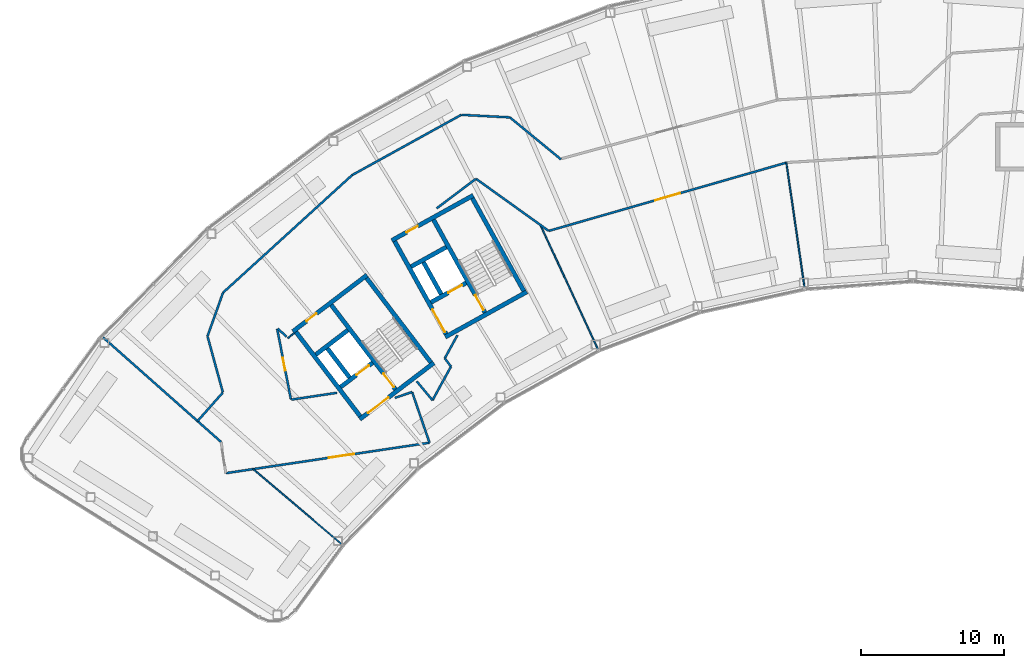
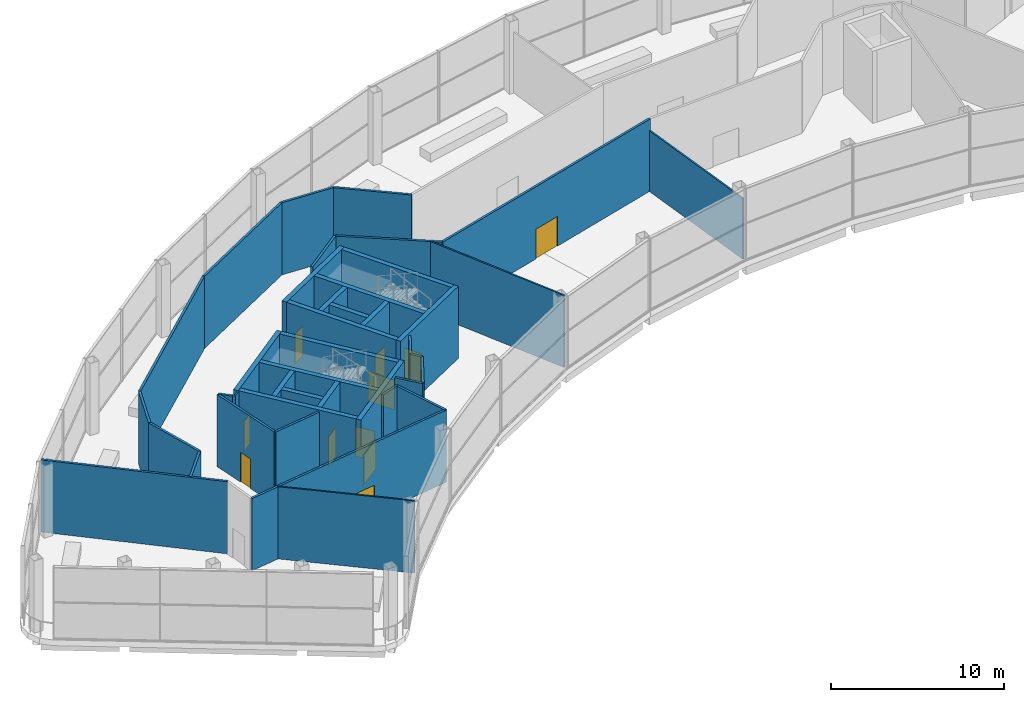
# One storey, part 36 of 43: 41 walls, 11 doors, 11 openings.
"""IFC4 building model written with IfcOpenShell, lengths in metres."""

from ifc_helpers import new_model, si_unit, direction, frame, frame_2d, origin, place, context, subcontext, project, spatial, rectangle, extrude, material, layer, layer_set, type_object, element, fill, save


model = new_model("IFC4")

# Units and contexts
model_context = context("Model", 3, precision=1e-05, world=origin(), true_north=direction((0.0, 1.0)))
body_context = subcontext(model_context, "Body", "Model", "MODEL_VIEW")
ifc_project = project(units=[si_unit("LENGTHUNIT", "METRE"), si_unit("AREAUNIT", "SQUARE_METRE"), si_unit("VOLUMEUNIT", "CUBIC_METRE"), si_unit("PLANEANGLEUNIT", "RADIAN"), si_unit("MASSUNIT", "GRAM", prefix="KILO")], contexts=[model_context])

# Site, building, storey
site_placement = place(None, origin())
site = spatial("IfcSite", under=ifc_project, at=site_placement, CompositionType="ELEMENT")
building_placement = place(site_placement, origin())
building = spatial("IfcBuilding", under=site, at=building_placement, Name="Tuul Gate Civic Tower", CompositionType="ELEMENT")
storey_placement = place(building_placement, frame((0.0, 0.0, 349.10009765625)))
storey = spatial("IfcBuildingStorey", under=building, at=storey_placement, Name="Observation level 1", CompositionType="ELEMENT", Elevation=349.10009765625)

# Wall, opening, door
ifc_material_1 = material(Name="Concrete C50/60", Category="concrete")
ifc_layer_1 = layer(ifc_material_1, 0.300048828125)
ifc_layer_set_1 = layer_set([ifc_layer_1], Name="Concrete C50/60")
wall_type_1 = type_object("IfcWallType", Name="Core wall C50/60", PredefinedType="SHEAR", material=ifc_layer_set_1)
wall_1_placement = place(storey_placement, frame((-31.19091796875, -13.669677734375, 0.0), z_axis=(0.0, 0.0, 1.0), x_axis=(-0.795606717756, -0.605813461934, 0.0)))
wall_1 = element("IfcWall", 1, at=wall_1_placement, inside=storey, type_object=wall_type_1, Name="Core wall", PredefinedType="SHEAR", context=body_context, shape_type="SweptSolid", body=[
    extrude(rectangle(XDim=6.5, YDim=0.300048828125, at=frame_2d((3.25, 0.0))), origin(), (0.0, 0.0, 1.0), 5.099853515625),
])
opening_1_placement = place(wall_1_placement, frame((3.97509765625, 0.0, 0.0)))
opening_1 = element("IfcOpeningElement", 2, at=opening_1_placement, cuts=wall_1, Name="Opening LB-W1-LOBBY-1", PredefinedType="OPENING", context=body_context, shape_type="SweptSolid", body=[
    extrude(rectangle(XDim=1.800048828125, YDim=2.10009765625, at=frame_2d((0.89990234375, 1.050048828125))), frame((0.0, 0.16015625, 0.0), z_axis=(0.0, -1.0, 0.0), x_axis=(1.0, 0.0, 0.0)), (0.0, 0.0, 1.0), 0.320068359375),
])
ifc_material_2 = material(Name="Steel", Category="steel")
door_type_1 = type_object("IfcDoorType", Name="Lobby door", OperationType="DOUBLE_DOOR_SINGLE_SWING", PredefinedType="DOOR", material=ifc_material_2)
door_1_placement = place(opening_1_placement, origin())
door_1 = element("IfcDoor", 3, at=door_1_placement, inside=storey, type_object=door_type_1, Name="Lobby door W1-LOBBY", OperationType="DOUBLE_DOOR_SINGLE_SWING", OverallHeight=2.10009765625, OverallWidth=1.800048828125, PredefinedType="DOOR", context=body_context, shape_type="SweptSolid", body=[
    extrude(rectangle(XDim=1.800048828125, YDim=2.10009765625, at=frame_2d((0.89990234375, 1.050048828125))), frame((0.0, 0.02490234375, 0.0), z_axis=(0.0, -1.0, 0.0), x_axis=(1.0, 0.0, 0.0)), (0.0, 0.0, 1.0), 0.050048828125),
])
fill(opening_1, door_1)

wall_2_placement = place(storey_placement, frame((-35.470947265625, -13.66064453125, 0.0), z_axis=(0.0, 0.0, 1.0), x_axis=(-0.795615822227, -0.605801504968, 0.0)))
wall_2 = element("IfcWall", 4, at=wall_2_placement, inside=storey, type_object=wall_type_1, Name="Core wall", PredefinedType="SHEAR", context=body_context, shape_type="SweptSolid", body=[
    extrude(rectangle(XDim=2.800048828125, YDim=0.300048828125, at=frame_2d((1.39990234375, 0.0))), origin(), (0.0, 0.0, 1.0), 5.099853515625),
])
opening_2_placement = place(wall_2_placement, frame((0.324951171875, 0.0, 0.0)))
opening_2 = element("IfcOpeningElement", 5, at=opening_2_placement, cuts=wall_2, Name="Opening LD-H1", PredefinedType="OPENING", context=body_context, shape_type="SweptSolid", body=[
    extrude(rectangle(XDim=1.10009765625, YDim=2.10009765625, at=frame_2d((0.550048828125, 1.050048828125))), frame((0.0, 0.16015625, 0.0), z_axis=(0.0, -1.0, 0.0), x_axis=(1.0, 0.0, 0.0)), (0.0, 0.0, 1.0), 0.320068359375),
])
ifc_material_3 = material(Name="Stainless steel", Category="steel")
door_type_2 = type_object("IfcDoorType", Name="Landing door", OperationType="DOUBLE_DOOR_SLIDING", PredefinedType="DOOR", material=ifc_material_3)
door_2_placement = place(opening_2_placement, origin())
door_2 = element("IfcDoor", 6, at=door_2_placement, inside=storey, type_object=door_type_2, Name="High-rise lift H1 landing door", OperationType="DOUBLE_DOOR_SLIDING", OverallHeight=2.10009765625, OverallWidth=1.10009765625, PredefinedType="DOOR", context=body_context, shape_type="SweptSolid", body=[
    extrude(rectangle(XDim=1.10009765625, YDim=2.10009765625, at=frame_2d((0.550048828125, 1.050048828125))), frame((0.0, 0.02490234375, 0.0), z_axis=(0.0, -1.0, 0.0), x_axis=(1.0, 0.0, 0.0)), (0.0, 0.0, 1.0), 0.050048828125),
])
fill(opening_2, door_2)

# Wall
wall_3_placement = place(storey_placement, frame((-37.197509765625, -11.39306640625, 0.0), z_axis=(0.0, 0.0, 1.0), x_axis=(-0.795583820278, -0.605843531707, 0.0)))
element("IfcWall", 7, at=wall_3_placement, inside=storey, type_object=wall_type_1, Name="Core wall", PredefinedType="SHEAR", context=body_context, shape_type="SweptSolid", body=[
    extrude(rectangle(XDim=2.7998046875, YDim=0.300048828125, at=frame_2d((1.39990234375, 0.0))), origin(), (0.0, 0.0, 1.0), 5.099853515625),
])

# Wall, opening, door
wall_4_placement = place(storey_placement, frame((-35.855224609375, -7.543212890625, 0.0), z_axis=(0.0, 0.0, 1.0), x_axis=(-0.79563860527, -0.605771582202, 0.0)))
wall_4 = element("IfcWall", 8, at=wall_4_placement, inside=storey, type_object=wall_type_1, Name="Core wall", PredefinedType="SHEAR", context=body_context, shape_type="SweptSolid", body=[
    extrude(rectangle(XDim=6.5, YDim=0.300048828125, at=frame_2d((3.25, 0.0))), origin(), (0.0, 0.0, 1.0), 5.099853515625),
])
opening_3_placement = place(wall_4_placement, frame((4.425048828125, 0.0, 0.0)))
opening_3 = element("IfcOpeningElement", 9, at=opening_3_placement, cuts=wall_4, Name="Opening AD-D15", PredefinedType="OPENING", context=body_context, shape_type="SweptSolid", body=[
    extrude(rectangle(XDim=0.89990234375, YDim=2.10009765625, at=frame_2d((0.449951171875, 1.050048828125))), frame((0.0, 0.16015625, 0.0), z_axis=(0.0, -1.0, 0.0), x_axis=(1.0, 0.0, 0.0)), (0.0, 0.0, 1.0), 0.320068359375),
])
ifc_material_4 = material(Name="Timber door leaf", Category="wood")
door_type_3 = type_object("IfcDoorType", Name="Door D09", OperationType="NOTDEFINED", PredefinedType="DOOR", material=ifc_material_4)
door_3_placement = place(opening_3_placement, origin())
door_3 = element("IfcDoor", 10, at=door_3_placement, inside=storey, type_object=door_type_3, Name="Door AD-D15", OperationType="SINGLE_SWING_RIGHT", OverallHeight=2.10009765625, OverallWidth=0.89990234375, PredefinedType="DOOR", context=body_context, shape_type="SweptSolid", body=[
    extrude(rectangle(XDim=0.89990234375, YDim=2.10009765625, at=frame_2d((0.449951171875, 1.050048828125))), frame((0.0, 0.02490234375, 0.0), z_axis=(0.0, -1.0, 0.0), x_axis=(1.0, 0.0, 0.0)), (0.0, 0.0, 1.0), 0.050048828125),
])
fill(opening_3, door_3)

# Wall
wall_5_placement = place(storey_placement, frame((-31.401123046875, -13.64111328125, 0.0), z_axis=(0.0, 0.0, 1.0), x_axis=(-0.605769822278, 0.795639945213, 0.0)))
element("IfcWall", 11, at=wall_5_placement, inside=storey, type_object=wall_type_1, Name="Core wall", PredefinedType="SHEAR", context=body_context, shape_type="SweptSolid", body=[
    extrude(rectangle(XDim=7.39990234375, YDim=0.300048828125, at=frame_2d((3.699951171875, 0.0))), origin(), (0.0, 0.0, 1.0), 5.099853515625),
])

# Wall, opening, door
wall_6_placement = place(storey_placement, frame((-33.867431640625, -15.51904296875, 0.0), z_axis=(0.0, 0.0, 1.0), x_axis=(-0.605769822278, 0.795639945213, 0.0)))
wall_6 = element("IfcWall", 12, at=wall_6_placement, inside=storey, type_object=wall_type_1, Name="Core wall", PredefinedType="SHEAR", context=body_context, shape_type="SweptSolid", body=[
    extrude(rectangle(XDim=7.39990234375, YDim=0.300048828125, at=frame_2d((3.699951171875, 0.0))), origin(), (0.0, 0.0, 1.0), 5.099853515625),
])
opening_4_placement = place(wall_6_placement, frame((0.199951171875, 0.0, 0.0)))
opening_4 = element("IfcOpeningElement", 13, at=opening_4_placement, cuts=wall_6, Name="Opening SD-ST-1", PredefinedType="OPENING", context=body_context, shape_type="SweptSolid", body=[
    extrude(rectangle(XDim=1.199951171875, YDim=2.10009765625, at=frame_2d((0.60009765625, 1.050048828125))), frame((0.0, 0.16015625, 0.0), z_axis=(0.0, -1.0, 0.0), x_axis=(1.0, 0.0, 0.0)), (0.0, 0.0, 1.0), 0.320068359375),
])
ifc_material_5 = material(Name="Steel", Category="steel")
door_type_4 = type_object("IfcDoorType", Name="Stair door", OperationType="NOTDEFINED", PredefinedType="DOOR", material=ifc_material_5)
door_4_placement = place(opening_4_placement, origin())
door_4 = element("IfcDoor", 14, at=door_4_placement, inside=storey, type_object=door_type_4, Name="Stair door ST-1", OperationType="SINGLE_SWING_LEFT", OverallHeight=2.10009765625, OverallWidth=1.199951171875, PredefinedType="DOOR", context=body_context, shape_type="SweptSolid", body=[
    extrude(rectangle(XDim=1.199951171875, YDim=2.10009765625, at=frame_2d((0.60009765625, 1.050048828125))), frame((0.0, 0.02490234375, 0.0), z_axis=(0.0, -1.0, 0.0), x_axis=(1.0, 0.0, 0.0)), (0.0, 0.0, 1.0), 0.050048828125),
])
fill(opening_4, door_4)

# Walls
wall_7_placement = place(storey_placement, frame((-37.073486328125, -14.6923828125, 0.0), z_axis=(0.0, 0.0, 1.0), x_axis=(-0.605728760074, 0.79567120673, 0.0)))
element("IfcWall", 15, at=wall_7_placement, inside=storey, type_object=wall_type_1, Name="Core wall", PredefinedType="SHEAR", context=body_context, shape_type="SweptSolid", body=[
    extrude(rectangle(XDim=2.550048828125, YDim=0.300048828125, at=frame_2d((1.27490234375, 0.0))), origin(), (0.0, 0.0, 1.0), 5.099853515625),
])
wall_8_placement = place(storey_placement, frame((-36.333984375, -17.397216796875, 0.0), z_axis=(0.0, 0.0, 1.0), x_axis=(-0.605753921168, 0.795652051458, 0.0)))
element("IfcWall", 16, at=wall_8_placement, inside=storey, type_object=wall_type_1, Name="Core wall", PredefinedType="SHEAR", context=body_context, shape_type="SweptSolid", body=[
    extrude(rectangle(XDim=7.400146484375, YDim=0.300048828125, at=frame_2d((3.7001953125, 0.0))), origin(), (0.0, 0.0, 1.0), 5.099853515625),
])
wall_9_placement = place(storey_placement, frame((-24.711669921875, -8.7158203125, 0.0), z_axis=(0.0, 0.0, 1.0), x_axis=(-0.874629909008, -0.484791215132, 0.0)))
element("IfcWall", 17, at=wall_9_placement, inside=storey, type_object=wall_type_1, Name="Core wall", PredefinedType="SHEAR", context=body_context, shape_type="SweptSolid", body=[
    extrude(rectangle(XDim=6.5, YDim=0.300048828125, at=frame_2d((3.25, 0.0))), origin(), (0.0, 0.0, 1.0), 5.099853515625),
])

# Wall, opening, door
wall_10_placement = place(storey_placement, frame((-28.94580078125, -8.090087890625, 0.0), z_axis=(0.0, 0.0, 1.0), x_axis=(-0.874629840737, -0.484791338301, 0.0)))
wall_10 = element("IfcWall", 18, at=wall_10_placement, inside=storey, type_object=wall_type_1, Name="Core wall", PredefinedType="SHEAR", context=body_context, shape_type="SweptSolid", body=[
    extrude(rectangle(XDim=2.800048828125, YDim=0.300048828125, at=frame_2d((1.39990234375, 0.0))), origin(), (0.0, 0.0, 1.0), 5.099853515625),
])
opening_5_placement = place(wall_10_placement, frame((0.324951171875, 0.0, 0.0)))
opening_5 = element("IfcOpeningElement", 19, at=opening_5_placement, cuts=wall_10, Name="Opening LD-FF-1", PredefinedType="OPENING", context=body_context, shape_type="SweptSolid", body=[
    extrude(rectangle(XDim=1.10009765625, YDim=2.10009765625, at=frame_2d((0.550048828125, 1.050048828125))), frame((0.0, 0.16015625, 0.0), z_axis=(0.0, -1.0, 0.0), x_axis=(1.0, 0.0, 0.0)), (0.0, 0.0, 1.0), 0.320068359375),
])
door_5_placement = place(opening_5_placement, origin())
door_5 = element("IfcDoor", 20, at=door_5_placement, inside=storey, type_object=door_type_2, Name="Fire-fighting lift FF-1 landing door", OperationType="DOUBLE_DOOR_SLIDING", OverallHeight=2.10009765625, OverallWidth=1.10009765625, PredefinedType="DOOR", context=body_context, shape_type="SweptSolid", body=[
    extrude(rectangle(XDim=1.10009765625, YDim=2.10009765625, at=frame_2d((0.550048828125, 1.050048828125))), frame((0.0, 0.02490234375, 0.0), z_axis=(0.0, -1.0, 0.0), x_axis=(1.0, 0.0, 0.0)), (0.0, 0.0, 1.0), 0.050048828125),
])
fill(opening_5, door_5)

# Wall
wall_11_placement = place(storey_placement, frame((-30.327392578125, -5.59716796875, 0.0), z_axis=(0.0, 0.0, 1.0), x_axis=(-0.874629840737, -0.484791338301, 0.0)))
element("IfcWall", 21, at=wall_11_placement, inside=storey, type_object=wall_type_1, Name="Core wall", PredefinedType="SHEAR", context=body_context, shape_type="SweptSolid", body=[
    extrude(rectangle(XDim=2.800048828125, YDim=0.300048828125, at=frame_2d((1.39990234375, 0.0))), origin(), (0.0, 0.0, 1.0), 5.099853515625),
])

# Wall, opening, door
wall_12_placement = place(storey_placement, frame((-28.4443359375, -1.98095703125, 0.0), z_axis=(0.0, 0.0, 1.0), x_axis=(-0.874629909008, -0.484791215132, 0.0)))
wall_12 = element("IfcWall", 22, at=wall_12_placement, inside=storey, type_object=wall_type_1, Name="Core wall", PredefinedType="SHEAR", context=body_context, shape_type="SweptSolid", body=[
    extrude(rectangle(XDim=6.5, YDim=0.300048828125, at=frame_2d((3.25, 0.0))), origin(), (0.0, 0.0, 1.0), 5.099853515625),
])
opening_6_placement = place(wall_12_placement, frame((4.425048828125, 0.0, 0.0)))
opening_6 = element("IfcOpeningElement", 23, at=opening_6_placement, cuts=wall_12, Name="Opening AD-D16", PredefinedType="OPENING", context=body_context, shape_type="SweptSolid", body=[
    extrude(rectangle(XDim=0.89990234375, YDim=2.10009765625, at=frame_2d((0.449951171875, 1.050048828125))), frame((0.0, 0.16015625, 0.0), z_axis=(0.0, -1.0, 0.0), x_axis=(1.0, 0.0, 0.0)), (0.0, 0.0, 1.0), 0.320068359375),
])
door_6_placement = place(opening_6_placement, origin())
door_6 = element("IfcDoor", 24, at=door_6_placement, inside=storey, type_object=door_type_3, Name="Door AD-D16", OperationType="SINGLE_SWING_LEFT", OverallHeight=2.10009765625, OverallWidth=0.89990234375, PredefinedType="DOOR", context=body_context, shape_type="SweptSolid", body=[
    extrude(rectangle(XDim=0.89990234375, YDim=2.10009765625, at=frame_2d((0.449951171875, 1.050048828125))), frame((0.0, 0.02490234375, 0.0), z_axis=(0.0, -1.0, 0.0), x_axis=(1.0, 0.0, 0.0)), (0.0, 0.0, 1.0), 0.050048828125),
])
fill(opening_6, door_6)

# Wall
wall_13_placement = place(storey_placement, frame((-24.91552734375, -8.6572265625, 0.0), z_axis=(0.0, 0.0, 1.0), x_axis=(-0.484777133038, 0.874637714304, 0.0)))
element("IfcWall", 25, at=wall_13_placement, inside=storey, type_object=wall_type_1, Name="Core wall", PredefinedType="SHEAR", context=body_context, shape_type="SweptSolid", body=[
    extrude(rectangle(XDim=7.400146484375, YDim=0.300048828125, at=frame_2d((3.7001953125, 0.0))), origin(), (0.0, 0.0, 1.0), 5.099853515625),
])

# Wall, opening, door
wall_14_placement = place(storey_placement, frame((-27.626953125, -10.16015625, 0.0), z_axis=(0.0, 0.0, 1.0), x_axis=(-0.484751894226, 0.874651702704, 0.0)))
wall_14 = element("IfcWall", 26, at=wall_14_placement, inside=storey, type_object=wall_type_1, Name="Core wall", PredefinedType="SHEAR", context=body_context, shape_type="SweptSolid", body=[
    extrude(rectangle(XDim=7.39990234375, YDim=0.300048828125, at=frame_2d((3.699951171875, 0.0))), origin(), (0.0, 0.0, 1.0), 5.099853515625),
])
opening_7_placement = place(wall_14_placement, frame((0.199951171875, 0.0, 0.0)))
opening_7 = element("IfcOpeningElement", 27, at=opening_7_placement, cuts=wall_14, Name="Opening SD-ST-2", PredefinedType="OPENING", context=body_context, shape_type="SweptSolid", body=[
    extrude(rectangle(XDim=1.199951171875, YDim=2.10009765625, at=frame_2d((0.60009765625, 1.050048828125))), frame((0.0, 0.16015625, 0.0), z_axis=(0.0, -1.0, 0.0), x_axis=(1.0, 0.0, 0.0)), (0.0, 0.0, 1.0), 0.320068359375),
])
door_7_placement = place(opening_7_placement, origin())
door_7 = element("IfcDoor", 28, at=door_7_placement, inside=storey, type_object=door_type_4, Name="Stair door ST-2", OperationType="SINGLE_SWING_LEFT", OverallHeight=2.10009765625, OverallWidth=1.199951171875, PredefinedType="DOOR", context=body_context, shape_type="SweptSolid", body=[
    extrude(rectangle(XDim=1.199951171875, YDim=2.10009765625, at=frame_2d((0.60009765625, 1.050048828125))), frame((0.0, 0.02490234375, 0.0), z_axis=(0.0, -1.0, 0.0), x_axis=(1.0, 0.0, 0.0)), (0.0, 0.0, 1.0), 0.050048828125),
])
fill(opening_7, door_7)

# Wall
wall_15_placement = place(storey_placement, frame((-30.680419921875, -8.8798828125, 0.0), z_axis=(0.0, 0.0, 1.0), x_axis=(-0.484724115216, 0.874667097888, 0.0)))
element("IfcWall", 29, at=wall_15_placement, inside=storey, type_object=wall_type_1, Name="Core wall", PredefinedType="SHEAR", context=body_context, shape_type="SweptSolid", body=[
    extrude(rectangle(XDim=2.550048828125, YDim=0.300048828125, at=frame_2d((1.27490234375, 0.0))), origin(), (0.0, 0.0, 1.0), 5.099853515625),
])

# Wall, opening, door
wall_16_placement = place(storey_placement, frame((-30.33837890625, -11.6630859375, 0.0), z_axis=(0.0, 0.0, 1.0), x_axis=(-0.484751894226, 0.874651702704, 0.0)))
wall_16 = element("IfcWall", 30, at=wall_16_placement, inside=storey, type_object=wall_type_1, Name="Core wall", PredefinedType="SHEAR", context=body_context, shape_type="SweptSolid", body=[
    extrude(rectangle(XDim=7.39990234375, YDim=0.300048828125, at=frame_2d((3.699951171875, 0.0))), origin(), (0.0, 0.0, 1.0), 5.099853515625),
])
opening_8_placement = place(wall_16_placement, frame((0.175048828125, 0.0, 0.0)))
opening_8 = element("IfcOpeningElement", 31, at=opening_8_placement, cuts=wall_16, Name="Opening LB-W2-FLOBBY-1", PredefinedType="OPENING", context=body_context, shape_type="SweptSolid", body=[
    extrude(rectangle(XDim=1.800048828125, YDim=2.10009765625, at=frame_2d((0.89990234375, 1.050048828125))), frame((0.0, 0.16015625, 0.0), z_axis=(0.0, -1.0, 0.0), x_axis=(1.0, 0.0, 0.0)), (0.0, 0.0, 1.0), 0.320068359375),
])
door_8_placement = place(opening_8_placement, origin())
door_8 = element("IfcDoor", 32, at=door_8_placement, inside=storey, type_object=door_type_1, Name="Lobby door W2-FLOBBY", OperationType="DOUBLE_DOOR_SINGLE_SWING", OverallHeight=2.10009765625, OverallWidth=1.800048828125, PredefinedType="DOOR", context=body_context, shape_type="SweptSolid", body=[
    extrude(rectangle(XDim=1.800048828125, YDim=2.10009765625, at=frame_2d((0.89990234375, 1.050048828125))), frame((0.0, 0.02490234375, 0.0), z_axis=(0.0, -1.0, 0.0), x_axis=(1.0, 0.0, 0.0)), (0.0, 0.0, 1.0), 0.050048828125),
])
fill(opening_8, door_8)

# Walls
ifc_material_6 = material(Name="Gypsum board partition")
ifc_layer_2 = layer(ifc_material_6, 0.14990234375)
ifc_layer_set_2 = layer_set([ifc_layer_2], Name="Gypsum board partition")
wall_type_2 = type_object("IfcWallType", Name="Corridor wall P150", PredefinedType="PARTITIONING", material=ifc_layer_set_2)
wall_17_placement = place(storey_placement, frame((-25.888916015625, 3.4560546875, 0.0), z_axis=(0.0, 0.0, 1.0), x_axis=(0.772631600529, -0.634854636798, 0.0)))
element("IfcWall", 33, at=wall_17_placement, inside=storey, type_object=wall_type_2, Name="p038", PredefinedType="PARTITIONING", context=body_context, shape_type="SweptSolid", body=[
    extrude(rectangle(XDim=4.60888671875, YDim=0.14990234375, at=frame_2d((2.304443359375, 0.0))), origin(), (0.0, 0.0, 1.0), 5.099853515625),
])
wall_18_placement = place(storey_placement, frame((-29.2802734375, 3.634765625, 0.0), z_axis=(0.0, 0.0, 1.0), x_axis=(0.998620807872, -0.052502210281, 0.0)))
element("IfcWall", 34, at=wall_18_placement, inside=storey, type_object=wall_type_2, Name="p039", PredefinedType="PARTITIONING", context=body_context, shape_type="SweptSolid", body=[
    extrude(rectangle(XDim=3.39453125, YDim=0.14990234375, at=frame_2d((1.697265625, 0.0))), origin(), (0.0, 0.0, 1.0), 5.099853515625),
])
wall_19_placement = place(storey_placement, frame((-36.8935546875, -0.568115234375, 0.0), z_axis=(0.0, 0.0, 1.0), x_axis=(0.875437590985, 0.483331174548, 0.0)))
element("IfcWall", 35, at=wall_19_placement, inside=storey, type_object=wall_type_2, Name="p040", PredefinedType="PARTITIONING", context=body_context, shape_type="SweptSolid", body=[
    extrude(rectangle(XDim=8.695068359375, YDim=0.14990234375, at=frame_2d((4.34765625, 0.0))), origin(), (0.0, 0.0, 1.0), 5.099853515625),
])
wall_20_placement = place(storey_placement, frame((-45.903076171875, -8.77294921875, 0.0), z_axis=(0.0, 0.0, 1.0), x_axis=(0.739338640732, 0.67333377631, 0.0)))
element("IfcWall", 36, at=wall_20_placement, inside=storey, type_object=wall_type_2, Name="p041", PredefinedType="PARTITIONING", context=body_context, shape_type="SweptSolid", body=[
    extrude(rectangle(XDim=12.183837890625, YDim=0.14990234375, at=frame_2d((6.091796875, 0.0))), origin(), (0.0, 0.0, 1.0), 5.099853515625),
])
wall_21_placement = place(storey_placement, frame((-46.986328125, -11.81298828125, 0.0), z_axis=(0.0, 0.0, 1.0), x_axis=(0.335573987572, 0.942013852799, 0.0)))
element("IfcWall", 37, at=wall_21_placement, inside=storey, type_object=wall_type_2, Name="p042", PredefinedType="PARTITIONING", context=body_context, shape_type="SweptSolid", body=[
    extrude(rectangle(XDim=3.225830078125, YDim=0.14990234375, at=frame_2d((1.61279296875, 0.0))), origin(), (0.0, 0.0, 1.0), 5.099853515625),
])
wall_22_placement = place(storey_placement, frame((-46.986328125, -11.814453125, 0.0), z_axis=(0.0, 0.0, 1.0), x_axis=(0.264319538104, -0.964435162039, 0.0)))
element("IfcWall", 38, at=wall_22_placement, inside=storey, type_object=wall_type_2, Name="p043", PredefinedType="PARTITIONING", context=body_context, shape_type="SweptSolid", body=[
    extrude(rectangle(XDim=4.054931640625, YDim=0.14990234375, at=frame_2d((2.02734375, 0.0))), origin(), (0.0, 0.0, 1.0), 5.099853515625),
])
wall_23_placement = place(storey_placement, frame((-47.6806640625, -17.73291015625, 0.0), z_axis=(0.0, 0.0, 1.0), x_axis=(0.663125005479, 0.748508668693, 0.0)))
element("IfcWall", 39, at=wall_23_placement, inside=storey, type_object=wall_type_2, Name="p044", PredefinedType="PARTITIONING", context=body_context, shape_type="SweptSolid", body=[
    extrude(rectangle(XDim=2.65625, YDim=0.14990234375, at=frame_2d((1.328125, 0.0))), origin(), (0.0, 0.0, 1.0), 5.099853515625),
])
wall_24_placement = place(storey_placement, frame((-54.2724609375, -11.8935546875, 0.0), z_axis=(0.0, 0.0, 1.0), x_axis=(0.748484626915, -0.663152141874, 0.0)))
element("IfcWall", 40, at=wall_24_placement, inside=storey, type_object=wall_type_2, Name="p045", PredefinedType="PARTITIONING", context=body_context, shape_type="SweptSolid", body=[
    extrude(rectangle(XDim=11.000732421875, YDim=0.14990234375, at=frame_2d((5.50048828125, 0.0))), origin(), (0.0, 0.0, 1.0), 5.099853515625),
])

# Wall, opening, door
wall_25_placement = place(storey_placement, frame((-45.70849609375, -21.367919921875, 0.0), z_axis=(0.0, 0.0, 1.0), x_axis=(0.989009132058, 0.147854444324, 0.0)))
wall_25 = element("IfcWall", 41, at=wall_25_placement, inside=storey, type_object=wall_type_2, Name="p048", PredefinedType="PARTITIONING", context=body_context, shape_type="SweptSolid", body=[
    extrude(rectangle(XDim=14.37060546875, YDim=0.14990234375, at=frame_2d((7.185302734375, 0.0))), origin(), (0.0, 0.0, 1.0), 5.099853515625),
])
opening_9_placement = place(wall_25_placement, frame((7.248291015625, 0.0, 0.0)))
opening_9 = element("IfcOpeningElement", 42, at=opening_9_placement, cuts=wall_25, Name="Opening AD-D11", PredefinedType="OPENING", context=body_context, shape_type="SweptSolid", body=[
    extrude(rectangle(XDim=1.800048828125, YDim=2.10009765625, at=frame_2d((0.89990234375, 1.050048828125))), frame((0.0, 0.0849609375, 0.0), z_axis=(0.0, -1.0, 0.0), x_axis=(1.0, 0.0, 0.0)), (0.0, 0.0, 1.0), 0.169921875),
])
ifc_material_7 = material(Name="Timber door leaf, double", Category="wood")
door_type_5 = type_object("IfcDoorType", Name="Door D18", OperationType="DOUBLE_DOOR_SINGLE_SWING", PredefinedType="DOOR", material=ifc_material_7)
door_9_placement = place(opening_9_placement, frame((1.800048828125, 0.0, 0.0), z_axis=(0.0, 0.0, 1.0), x_axis=(-1.0, 0.0, 0.0)))
door_9 = element("IfcDoor", 43, at=door_9_placement, inside=storey, type_object=door_type_5, Name="Door AD-D11", OperationType="DOUBLE_DOOR_SINGLE_SWING", OverallHeight=2.10009765625, OverallWidth=1.800048828125, PredefinedType="DOOR", context=body_context, shape_type="SweptSolid", body=[
    extrude(rectangle(XDim=1.800048828125, YDim=2.10009765625, at=frame_2d((0.900146484375, 1.050048828125))), frame((0.0, 0.02490234375, 0.0), z_axis=(0.0, -1.0, 0.0), x_axis=(1.0, 0.0, 0.0)), (0.0, 0.0, 1.0), 0.050048828125),
])
fill(opening_9, door_9)

wall_26_placement = place(storey_placement, frame((-23.179443359375, -4.464111328125, 0.0), z_axis=(0.0, 0.0, 1.0), x_axis=(0.961142418733, 0.276052985698, 0.0)))
wall_26 = element("IfcWall", 44, at=wall_26_placement, inside=storey, type_object=wall_type_2, Name="p060", PredefinedType="PARTITIONING", context=body_context, shape_type="SweptSolid", body=[
    extrude(rectangle(XDim=17.282958984375, YDim=0.14990234375, at=frame_2d((8.6416015625, 0.0))), origin(), (0.0, 0.0, 1.0), 5.099853515625),
])
opening_10_placement = place(wall_26_placement, frame((7.72509765625, 0.0, 0.0)))
opening_10 = element("IfcOpeningElement", 45, at=opening_10_placement, cuts=wall_26, Name="Opening AD-D10", PredefinedType="OPENING", context=body_context, shape_type="SweptSolid", body=[
    extrude(rectangle(XDim=1.800048828125, YDim=2.10009765625, at=frame_2d((0.89990234375, 1.050048828125))), frame((0.0, 0.0849609375, 0.0), z_axis=(0.0, -1.0, 0.0), x_axis=(1.0, 0.0, 0.0)), (0.0, 0.0, 1.0), 0.169921875),
])
door_10_placement = place(opening_10_placement, frame((1.800048828125, 0.0, 0.0), z_axis=(0.0, 0.0, 1.0), x_axis=(-1.0, 0.0, 0.0)))
door_10 = element("IfcDoor", 46, at=door_10_placement, inside=storey, type_object=door_type_5, Name="Door AD-D10", OperationType="DOUBLE_DOOR_SINGLE_SWING", OverallHeight=2.10009765625, OverallWidth=1.800048828125, PredefinedType="DOOR", context=body_context, shape_type="SweptSolid", body=[
    extrude(rectangle(XDim=1.800048828125, YDim=2.10009765625, at=frame_2d((0.900146484375, 1.050048828125))), frame((0.0, 0.02490234375, 0.0), z_axis=(0.0, -1.0, 0.0), x_axis=(1.0, 0.0, 0.0)), (0.0, 0.0, 1.0), 0.050048828125),
])
fill(opening_10, door_10)

# Walls
wall_27_placement = place(storey_placement, frame((-28.243408203125, -0.833984375, 0.0), z_axis=(0.0, 0.0, 1.0), x_axis=(0.812696805185, -0.582686796523, 0.0)))
element("IfcWall", 47, at=wall_27_placement, inside=storey, type_object=wall_type_2, Name="p065", PredefinedType="PARTITIONING", context=body_context, shape_type="SweptSolid", body=[
    extrude(rectangle(XDim=6.2294921875, YDim=0.14990234375, at=frame_2d((3.11474609375, 0.0))), origin(), (0.0, 0.0, 1.0), 5.099853515625),
])
wall_28_placement = place(storey_placement, frame((-32.7099609375, -15.70361328125, 0.0), z_axis=(0.0, 0.0, 1.0), x_axis=(0.324456095006, -0.945900757169, 0.0)))
element("IfcWall", 48, at=wall_28_placement, inside=storey, type_object=wall_type_2, Name="p066", PredefinedType="PARTITIONING", context=body_context, shape_type="SweptSolid", body=[
    extrude(rectangle(XDim=3.741943359375, YDim=0.14990234375, at=frame_2d((1.87109375, 0.0))), origin(), (0.0, 0.0, 1.0), 5.099853515625),
])
wall_29_placement = place(storey_placement, frame((-33.906494140625, -16.1142578125, 0.0), z_axis=(0.0, 0.0, 1.0), x_axis=(0.945847786092, 0.324610482801, 0.0)))
element("IfcWall", 49, at=wall_29_placement, inside=storey, type_object=wall_type_2, Name="p067", PredefinedType="PARTITIONING", context=body_context, shape_type="SweptSolid", body=[
    extrude(rectangle(XDim=1.26513671875, YDim=0.14990234375, at=frame_2d((0.632568359375, 0.0))), origin(), (0.0, 0.0, 1.0), 5.099853515625),
])
wall_30_placement = place(storey_placement, frame((-32.38818359375, -14.958251953125, 0.0), z_axis=(0.0, 0.0, 1.0), x_axis=(0.64037973439, -0.768058458571, 0.0)))
element("IfcWall", 50, at=wall_30_placement, inside=storey, type_object=wall_type_2, Name="p068", PredefinedType="PARTITIONING", context=body_context, shape_type="SweptSolid", body=[
    extrude(rectangle(XDim=1.720947265625, YDim=0.14990234375, at=frame_2d((0.8603515625, 0.0))), origin(), (0.0, 0.0, 1.0), 5.099853515625),
])
wall_31_placement = place(storey_placement, frame((-31.2861328125, -16.280029296875, 0.0), z_axis=(0.0, 0.0, 1.0), x_axis=(0.480081401622, 0.877223943937, 0.0)))
element("IfcWall", 51, at=wall_31_placement, inside=storey, type_object=wall_type_2, Name="p069", PredefinedType="PARTITIONING", context=body_context, shape_type="SweptSolid", body=[
    extrude(rectangle(XDim=2.6845703125, YDim=0.14990234375, at=frame_2d((1.34228515625, 0.0))), origin(), (0.0, 0.0, 1.0), 5.099853515625),
])
wall_32_placement = place(storey_placement, frame((-30.431640625, -13.3544921875, 0.0), z_axis=(0.0, 0.0, 1.0), x_axis=(0.605704639541, -0.795689568638, 0.0)))
element("IfcWall", 52, at=wall_32_placement, inside=storey, type_object=wall_type_2, Name="p070", PredefinedType="PARTITIONING", context=body_context, shape_type="SweptSolid", body=[
    extrude(rectangle(XDim=0.717041015625, YDim=0.14990234375, at=frame_2d((0.3583984375, 0.0))), origin(), (0.0, 0.0, 1.0), 5.099853515625),
])
wall_33_placement = place(storey_placement, frame((-30.431640625, -13.3544921875, 0.0), z_axis=(0.0, 0.0, 1.0), x_axis=(0.479855413094, 0.877347583643, 0.0)))
element("IfcWall", 53, at=wall_33_placement, inside=storey, type_object=wall_type_2, Name="p071", PredefinedType="PARTITIONING", context=body_context, shape_type="SweptSolid", body=[
    extrude(rectangle(XDim=1.8408203125, YDim=0.14990234375, at=frame_2d((0.92041015625, 0.0))), origin(), (0.0, 0.0, 1.0), 5.099853515625),
])
wall_34_placement = place(storey_placement, frame((-30.99609375, -2.8916015625, 0.0), z_axis=(0.0, 0.0, 1.0), x_axis=(0.798462619727, 0.602044387814, 0.0)))
element("IfcWall", 54, at=wall_34_placement, inside=storey, type_object=wall_type_2, Name="p072", PredefinedType="PARTITIONING", context=body_context, shape_type="SweptSolid", body=[
    extrude(rectangle(XDim=3.4169921875, YDim=0.14990234375, at=frame_2d((1.70849609375, 0.0))), origin(), (0.0, 0.0, 1.0), 5.099853515625),
])
wall_35_placement = place(storey_placement, frame((-41.14208984375, -16.236328125, 0.0), z_axis=(0.0, 0.0, 1.0), x_axis=(0.989014101031, 0.147821202677, 0.0)))
element("IfcWall", 55, at=wall_35_placement, inside=storey, type_object=wall_type_2, Name="p073", PredefinedType="PARTITIONING", context=body_context, shape_type="SweptSolid", body=[
    extrude(rectangle(XDim=3.218994140625, YDim=0.14990234375, at=frame_2d((1.609375, 0.0))), origin(), (0.0, 0.0, 1.0), 5.099853515625),
])

# Wall, opening, door
wall_36_placement = place(storey_placement, frame((-42.125244140625, -11.298828125, 0.0), z_axis=(0.0, 0.0, 1.0), x_axis=(0.191450870214, -0.981502197804, 0.0)))
wall_36 = element("IfcWall", 56, at=wall_36_placement, inside=storey, type_object=wall_type_2, Name="p074", PredefinedType="PARTITIONING", context=body_context, shape_type="SweptSolid", body=[
    extrude(rectangle(XDim=5.01416015625, YDim=0.14990234375, at=frame_2d((2.507080078125, 0.0))), origin(), (0.0, 0.0, 1.0), 5.099853515625),
])
opening_11_placement = place(wall_36_placement, frame((2.056884765625, 0.0, 0.0)))
opening_11 = element("IfcOpeningElement", 57, at=opening_11_placement, cuts=wall_36, Name="Opening AD-D12", PredefinedType="OPENING", context=body_context, shape_type="SweptSolid", body=[
    extrude(rectangle(XDim=0.89990234375, YDim=2.10009765625, at=frame_2d((0.449951171875, 1.050048828125))), frame((0.0, 0.0849609375, 0.0), z_axis=(0.0, -1.0, 0.0), x_axis=(1.0, 0.0, 0.0)), (0.0, 0.0, 1.0), 0.169921875),
])
door_11_placement = place(opening_11_placement, origin())
door_11 = element("IfcDoor", 58, at=door_11_placement, inside=storey, type_object=door_type_3, Name="Door AD-D12", OperationType="SINGLE_SWING_RIGHT", OverallHeight=2.10009765625, OverallWidth=0.89990234375, PredefinedType="DOOR", context=body_context, shape_type="SweptSolid", body=[
    extrude(rectangle(XDim=0.89990234375, YDim=2.10009765625, at=frame_2d((0.449951171875, 1.050048828125))), frame((0.0, 0.02490234375, 0.0), z_axis=(0.0, -1.0, 0.0), x_axis=(1.0, 0.0, 0.0)), (0.0, 0.0, 1.0), 0.050048828125),
])
fill(opening_11, door_11)

# Walls
wall_37_placement = place(storey_placement, frame((-42.083740234375, -11.2744140625, 0.0), z_axis=(0.0, 0.0, 1.0), x_axis=(0.729348609519, -0.684142240907, 0.0)))
element("IfcWall", 59, at=wall_37_placement, inside=storey, type_object=wall_type_2, Name="p075", PredefinedType="PARTITIONING", context=body_context, shape_type="SweptSolid", body=[
    extrude(rectangle(XDim=0.847900390625, YDim=0.14990234375, at=frame_2d((0.423828125, 0.0))), origin(), (0.0, 0.0, 1.0), 5.099853515625),
])
ifc_material_8 = material(Name="Gypsum board partition")
ifc_layer_3 = layer(ifc_material_8, 0.10009765625)
ifc_layer_set_3 = layer_set([ifc_layer_3], Name="Gypsum board partition")
wall_type_3 = type_object("IfcWallType", Name="Partition P100", PredefinedType="PARTITIONING", material=ifc_layer_set_3)
wall_38_placement = place(storey_placement, frame((-43.8037109375, -21.083251953125, 0.0), z_axis=(0.0, 0.0, 1.0), x_axis=(0.7628350043, -0.646593192211, 0.0)))
element("IfcWall", 60, at=wall_38_placement, inside=storey, type_object=wall_type_3, Name="p037", PredefinedType="PARTITIONING", context=body_context, shape_type="SweptSolid", body=[
    extrude(rectangle(XDim=8.083984375, YDim=0.10009765625, at=frame_2d((4.0419921875, 0.0))), origin(), (0.0, 0.0, 1.0), 5.099853515625),
])
wall_39_placement = place(storey_placement, frame((-23.7626953125, -4.046630859375, 0.0), z_axis=(0.0, 0.0, 1.0), x_axis=(0.420368446457, -0.907353497389, 0.0)))
element("IfcWall", 61, at=wall_39_placement, inside=storey, type_object=wall_type_3, Name="p064", PredefinedType="PARTITIONING", context=body_context, shape_type="SweptSolid", body=[
    extrude(rectangle(XDim=9.5322265625, YDim=0.10009765625, at=frame_2d((4.76611328125, 0.0))), origin(), (0.0, 0.0, 1.0), 5.099853515625),
])
wall_40_placement = place(storey_placement, frame((-41.392578125, -11.9482421875, 0.0), z_axis=(0.0, 0.0, 1.0), x_axis=(0.795539073759, 0.605902287603, 0.0)))
element("IfcWall", 62, at=wall_40_placement, inside=storey, type_object=wall_type_3, Name="p077", PredefinedType="PARTITIONING", context=body_context, shape_type="SweptSolid", body=[
    extrude(rectangle(XDim=0.57421875, YDim=0.10009765625, at=frame_2d((0.287109375, 0.0))), origin(), (0.0, 0.0, 1.0), 5.099853515625),
])
ifc_material_9 = material(Name="Gypsum board partition")
ifc_layer_4 = layer(ifc_material_9, 0.10009765625)
ifc_layer_set_4 = layer_set([ifc_layer_4], Name="Gypsum board partition")
wall_type_4 = type_object("IfcWallType", Name="Partition P100 4300 HIGH", PredefinedType="PARTITIONING", material=ifc_layer_set_4)
wall_41_placement = place(storey_placement, frame((-6.599609375, 0.298095703125, 0.0), z_axis=(0.0, 0.0, 1.0), x_axis=(0.144032776804, -0.989572917579, 0.0)))
element("IfcWall", 63, at=wall_41_placement, inside=storey, type_object=wall_type_4, Name="p021", PredefinedType="PARTITIONING", context=body_context, shape_type="SweptSolid", body=[
    extrude(rectangle(XDim=8.7939453125, YDim=0.10009765625, at=frame_2d((4.39697265625, 0.0))), origin(), (0.0, 0.0, 1.0), 4.2998046875),
])

save(model, "model.ifc")
